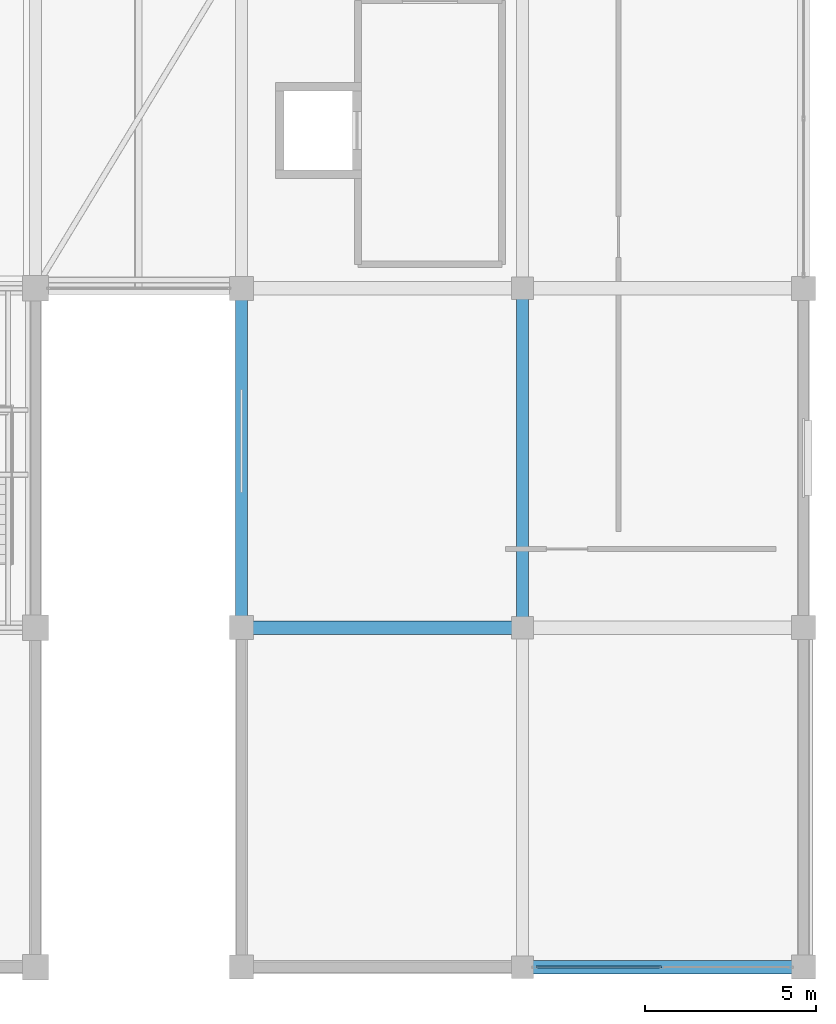
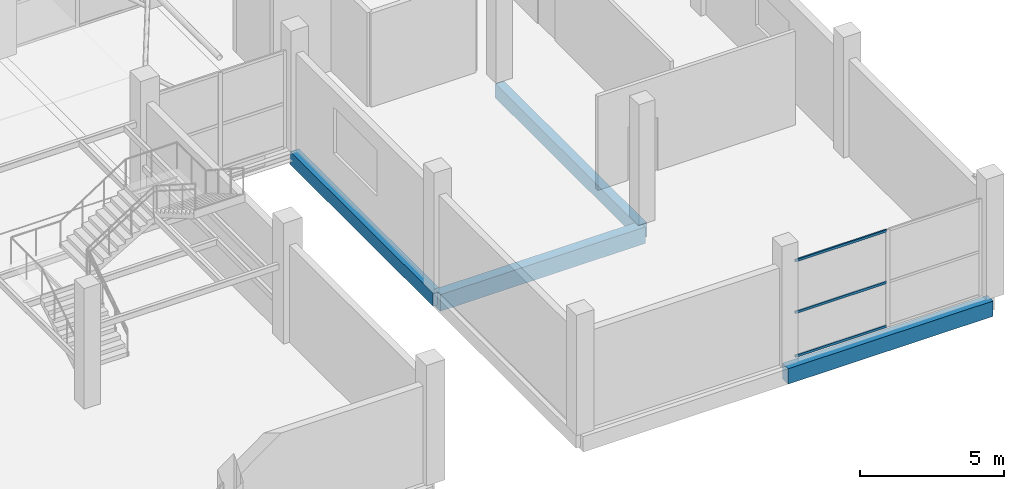
# One storey, part 12 of 67: 4 beams, 3 members, 1 element without a shape of its own.
"""IFC4 building model written with IfcOpenShell, lengths in metres."""

from ifc_helpers import new_model, si_unit, direction, frame, origin, origin_2d, place, context, subcontext, project, spatial, rectangle, hollow_rectangle, extrude, material, layer, layer_set, material_profile, profile_set, type_object, element, aggregate, save


model = new_model("IFC4")

# Units and contexts
model_context = context("Model", 3, precision=1e-05, world=origin(), true_north=direction((0.0, 1.0)))
body_context = subcontext(model_context, "Body", "Model", "MODEL_VIEW")
ifc_project = project(units=[si_unit("LENGTHUNIT", "METRE"), si_unit("AREAUNIT", "SQUARE_METRE"), si_unit("VOLUMEUNIT", "CUBIC_METRE"), si_unit("PLANEANGLEUNIT", "RADIAN"), si_unit("MASSUNIT", "GRAM", prefix="KILO")], contexts=[model_context])

# Site, building, storey
site_placement = place(None, origin())
site = spatial("IfcSite", under=ifc_project, at=site_placement, CompositionType="ELEMENT")
building_placement = place(site_placement, origin())
building = spatial("IfcBuilding", under=site, at=building_placement, Name="Sillaruma Civic Art Gallery", CompositionType="ELEMENT")
storey_placement = place(building_placement, frame((0.0, 0.0, 46.919921875)))
storey = spatial("IfcBuildingStorey", under=building, at=storey_placement, Name="L09", CompositionType="ELEMENT", Elevation=46.919921875)

# Beams
ifc_material_1 = material(Name="Concrete H35 (35 MPa)", Category="concrete")
ifc_material_profile_1 = material_profile(ifc_material_1, rectangle(XDim=0.35009765625, YDim=0.60009765625, at=origin_2d()), Name="RCB350x600")
ifc_profile_set_1 = profile_set([ifc_material_profile_1], Name="Concrete H35 (35 MPa)")
beam_type_1 = type_object("IfcBeamType", Name="BM-BEAM-RCB350x600", PredefinedType="BEAM", material=ifc_profile_set_1)
beam_1_placement = place(storey_placement, frame((106.199951171875, 29.699951171875, -0.5498046875), z_axis=(0.0, 1.0, 0.0), x_axis=(-1.0, 0.0, 0.0)))
element("IfcBeam", 1, at=beam_1_placement, inside=storey, type_object=beam_type_1, Name="Beam BM-06 (L08:M:4-5)", PredefinedType="BEAM", context=body_context, shape_type="SweptSolid", body=[
    extrude(rectangle(XDim=0.35009765625, YDim=0.60009765625, at=origin_2d()), origin(), (0.0, 0.0, 1.0), 9.900146484375),
])
ifc_material_profile_2 = material_profile(ifc_material_1, rectangle(XDim=0.39990234375, YDim=0.699951171875, at=origin_2d()), Name="RCB400x700")
ifc_profile_set_2 = profile_set([ifc_material_profile_2], Name="Concrete H35 (35 MPa)")
beam_type_2 = type_object("IfcBeamType", Name="BM-BEAM-RCB400x700", PredefinedType="BEAM", material=ifc_profile_set_2)
beam_2_placement = place(storey_placement, frame((98.0, 29.699951171875, -0.599853515625), z_axis=(1.0, 0.0, 0.0), x_axis=(0.0, 1.0, 0.0)))
element("IfcBeam", 2, at=beam_2_placement, inside=storey, type_object=beam_type_2, Name="Beam BM-04 (L08:4:L-M)", PredefinedType="BEAM", context=body_context, shape_type="SweptSolid", body=[
    extrude(rectangle(XDim=0.39990234375, YDim=0.699951171875, at=origin_2d()), origin(), (0.0, 0.0, 1.0), 8.199951171875),
])
ifc_material_profile_3 = material_profile(ifc_material_1, rectangle(XDim=0.35009765625, YDim=0.550048828125, at=origin_2d()), Name="RCB350x550")
ifc_profile_set_3 = profile_set([ifc_material_profile_3], Name="Concrete H35 (35 MPa)")
beam_type_3 = type_object("IfcBeamType", Name="BM-SPANDREL-RCB350x550", PredefinedType="SPANDREL", material=ifc_profile_set_3)
beam_3_placement = place(storey_placement, frame((98.0, 29.699951171875, -0.52490234375), z_axis=(0.0, 1.0, 0.0), x_axis=(-1.0, 0.0, 0.0)))
element("IfcBeam", 3, at=beam_3_placement, inside=storey, type_object=beam_type_3, Name="Beam BS-04 (L08:L:4-5)", PredefinedType="SPANDREL", context=body_context, shape_type="SweptSolid", body=[
    extrude(rectangle(XDim=0.35009765625, YDim=0.550048828125, at=origin_2d()), origin(), (0.0, 0.0, 1.0), 9.900146484375),
])
ifc_material_profile_4 = material_profile(ifc_material_1, rectangle(XDim=0.39990234375, YDim=0.64990234375, at=origin_2d()), Name="RCB400x650")
ifc_profile_set_4 = profile_set([ifc_material_profile_4], Name="Concrete H35 (35 MPa)")
beam_type_4 = type_object("IfcBeamType", Name="BM-SPANDREL-RCB400x650", PredefinedType="SPANDREL", material=ifc_profile_set_4)
beam_4_placement = place(storey_placement, frame((106.199951171875, 19.800048828125, -0.574951171875), z_axis=(1.0, 0.0, 0.0), x_axis=(0.0, 1.0, 0.0)))
element("IfcBeam", 4, at=beam_4_placement, inside=storey, type_object=beam_type_4, Name="Beam BS-02 (L08:3:M-N)", PredefinedType="SPANDREL", context=body_context, shape_type="SweptSolid", body=[
    extrude(rectangle(XDim=0.39990234375, YDim=0.64990234375, at=origin_2d()), origin(), (0.0, 0.0, 1.0), 8.199951171875),
])

# Curtain wall, members
ifc_material_2 = material(Name="Thermally Broken Extruded Aluminium 6063-T6", Category="aluminium")
ifc_layer = layer(ifc_material_2, 0.159912109375, Name="Thermally Broken Extruded Aluminium 6063-T6")
ifc_layer_set = layer_set([ifc_layer], Name="Thermally Broken Extruded Aluminium 6063-T6")
curtain_wall_type = type_object("IfcCurtainWallType", Name="CW-UNI-74", PredefinedType="NOTDEFINED", material=ifc_layer_set)
curtain_wall_placement = place(storey_placement, origin())
curtain_wall = element("IfcCurtainWall", 5, at=curtain_wall_placement, inside=storey, type_object=curtain_wall_type, Name="Unitised Curtain Wall CW-74 (CW-L09-EBS-2)", PredefinedType="NOTDEFINED")
ifc_material_profile_5 = material_profile(ifc_material_2, hollow_rectangle(XDim=0.06005859375, YDim=0.10009765625, WallThickness=0.003173828125, at=origin_2d()), Name="CWT60x100")
ifc_profile_set_5 = profile_set([ifc_material_profile_5], Name="Thermally Broken Extruded Aluminium 6063-T6")
member_type = type_object("IfcMemberType", Name="MEM-TRN-CWT60x100", PredefinedType="USERDEFINED", material=ifc_profile_set_5)
member_1_placement = place(storey_placement, frame((106.590087890625, 19.800048828125, 0.030029296875), z_axis=(1.0, 0.0, 0.0), x_axis=(0.0, 1.0, 0.0)))
member_1 = element("IfcMember", 6, at=member_1_placement, type_object=member_type, Name="CW-74 transom 1.1", ObjectType="TRANSOM", PredefinedType="USERDEFINED", context=body_context, shape_type="SweptSolid", body=[
    extrude(hollow_rectangle(XDim=0.06005859375, YDim=0.10009765625, WallThickness=0.003173828125, at=origin_2d()), origin(), (0.0, 0.0, 1.0), 3.664794921875),
])
member_2_placement = place(storey_placement, frame((106.590087890625, 19.800048828125, 1.885986328125), z_axis=(1.0, 0.0, 0.0), x_axis=(0.0, 1.0, 0.0)))
member_2 = element("IfcMember", 7, at=member_2_placement, type_object=member_type, Name="CW-74 transom 1.2", ObjectType="TRANSOM", PredefinedType="USERDEFINED", context=body_context, shape_type="SweptSolid", body=[
    extrude(hollow_rectangle(XDim=0.06005859375, YDim=0.10009765625, WallThickness=0.003173828125, at=origin_2d()), origin(), (0.0, 0.0, 1.0), 3.664794921875),
])
member_3_placement = place(storey_placement, frame((106.590087890625, 19.800048828125, 4.070068359375), z_axis=(1.0, 0.0, 0.0), x_axis=(0.0, 1.0, 0.0)))
member_3 = element("IfcMember", 8, at=member_3_placement, type_object=member_type, Name="CW-74 transom 1.3", ObjectType="TRANSOM", PredefinedType="USERDEFINED", context=body_context, shape_type="SweptSolid", body=[
    extrude(hollow_rectangle(XDim=0.06005859375, YDim=0.10009765625, WallThickness=0.003173828125, at=origin_2d()), origin(), (0.0, 0.0, 1.0), 3.664794921875),
])
aggregate(curtain_wall, [member_1, member_2, member_3])

save(model, "model.ifc")
